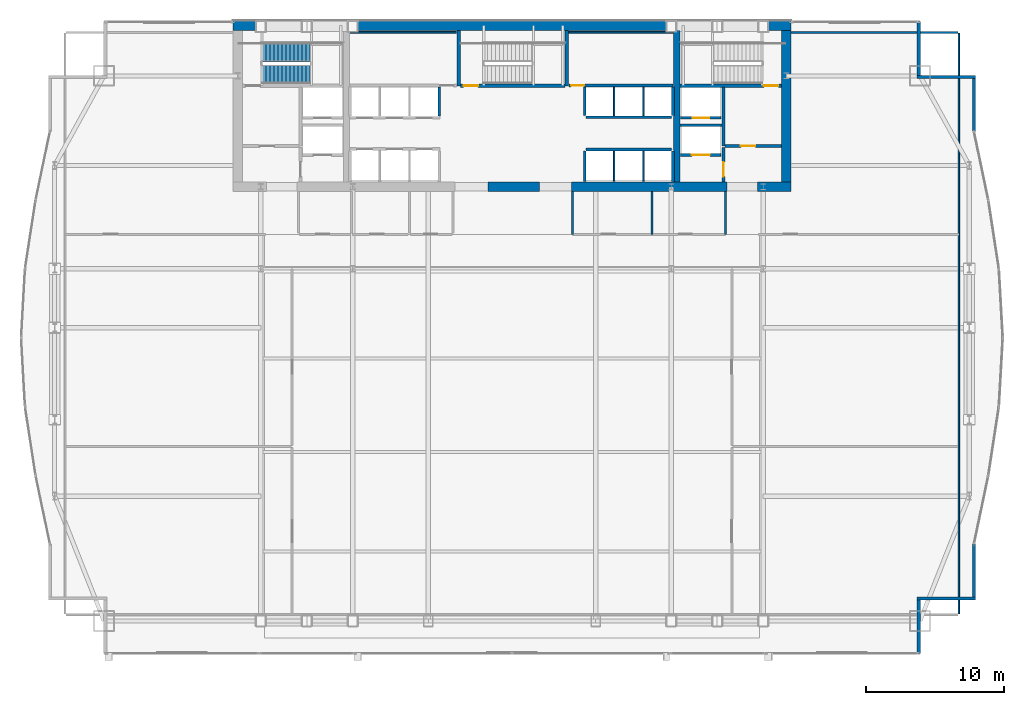
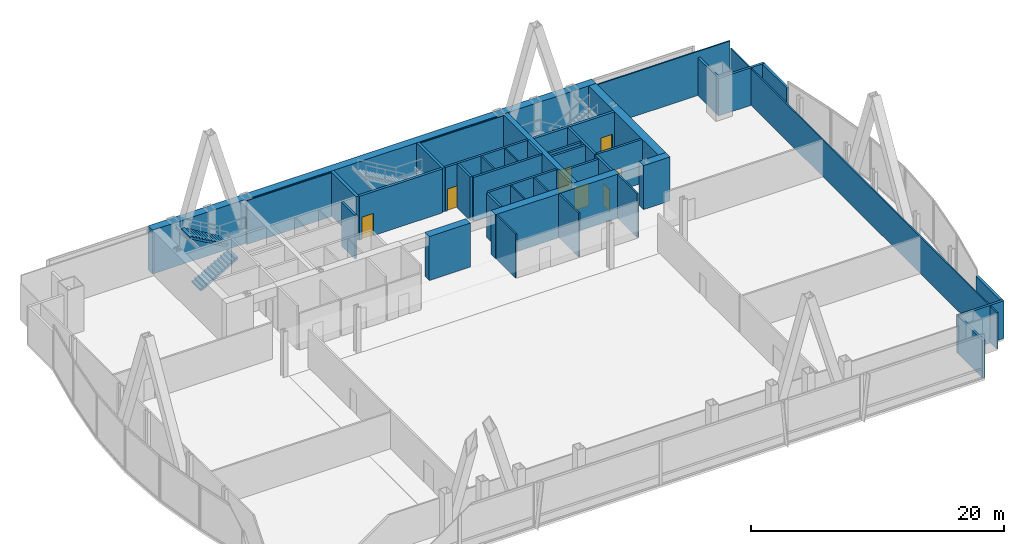
# One storey, part 29 of 32: 41 walls, 7 doors, 2 stair flights, 7 openings, 1 element without a shape of its own.
"""IFC4 building model written with IfcOpenShell, lengths in metres."""

import ifcopenshell
import ifcopenshell.guid

model = None  # the IFC model being written
_history = None  # IfcOwnerHistory: only IFC2X3 demands one
_inside = {}  # id of a spatial element -> (the spatial element, [elements in it])
_under = {}  # id of a project, library or spatial element -> (it, [spatial elements below it])
_declared = {}  # id of a project -> (the project, [libraries it declares])
_typed = {}  # id of a type object -> (the type object, [elements of that type])
_made_of = {}  # id of a material, layer set ... -> (it, [elements and type objects made of it])


def new_model(schema):
    """Start an empty IFC model of exactly this schema.

    Asked for "IFC4X3", IfcOpenShell would pick the latest addendum, in which some entities
    have other attributes; the version numbers below select the first issue.
    IFC2X3 requires an IfcOwnerHistory on every rooted entity: one is made here for all.
    """
    global model, _history
    if schema == "IFC4X3":
        model = ifcopenshell.file(schema_version=(4, 3, 0, 0))
    else:
        model = ifcopenshell.file(schema=schema)
    _inside.clear()
    _under.clear()
    _declared.clear()
    _typed.clear()
    _made_of.clear()
    _history = None
    if model.schema == "IFC2X3":
        org = make("IfcOrganization", Name="unknown")
        user = make(
            "IfcPersonAndOrganization",
            ThePerson=make("IfcPerson", FamilyName="unknown"),
            TheOrganization=org,
        )
        app = make(
            "IfcApplication",
            ApplicationDeveloper=org,
            Version="unknown",
            ApplicationFullName="unknown",
            ApplicationIdentifier="unknown",
        )
        _history = make(
            "IfcOwnerHistory",
            OwningUser=user,
            OwningApplication=app,
            ChangeAction="ADDED",
            CreationDate=0,
        )
    return model


def make(cls, **values):
    """One entity of the class cls with the attributes given. An attribute that is None is left unset."""
    return model.create_entity(
        cls, **{name: value for name, value in values.items() if value is not None}
    )


def rooted(cls, **values):
    """An entity with a GlobalId (a new one), such as an element, a storey or a relation."""
    return make(cls, GlobalId=ifcopenshell.guid.new(), OwnerHistory=_history, **values)


def si_unit(unit_type, name, prefix=None):
    """IfcSIUnit, for example si_unit("LENGTHUNIT", "METRE", prefix="MILLI")."""
    return make("IfcSIUnit", UnitType=unit_type, Prefix=prefix, Name=name)


def assignment(units):
    """IfcUnitAssignment: the units of a project."""
    return None if units is None else make("IfcUnitAssignment", Units=units)


def point(xyz):
    """IfcCartesianPoint."""
    return None if xyz is None else make("IfcCartesianPoint", Coordinates=xyz)


def direction(xyz):
    """IfcDirection."""
    return None if xyz is None else make("IfcDirection", DirectionRatios=xyz)


def frame(location, z_axis=None, x_axis=None):
    """IfcAxis2Placement3D, a coordinate frame: its origin and axes. An axis left out is left unset."""
    return make(
        "IfcAxis2Placement3D",
        Location=point(location),
        Axis=direction(z_axis),
        RefDirection=direction(x_axis),
    )


def frame_2d(location, x_axis=None):
    """IfcAxis2Placement2D, a coordinate frame in the plane: its origin and x axis."""
    return make(
        "IfcAxis2Placement2D", Location=point(location), RefDirection=direction(x_axis)
    )


def origin():
    """The frame at (0, 0, 0) with its axes left unset."""
    return frame((0.0, 0.0, 0.0))


def place(relative_to, where):
    """IfcLocalPlacement: puts the frame where relative to a parent placement (None: the world)."""
    return make(
        "IfcLocalPlacement", PlacementRelTo=relative_to, RelativePlacement=where
    )


def context(
    kind, dimensions, precision=None, world=None, true_north=None, identifier=None
):
    """IfcGeometricRepresentationContext, for example the 3D "Model" context."""
    return make(
        "IfcGeometricRepresentationContext",
        ContextIdentifier=identifier,
        ContextType=kind,
        CoordinateSpaceDimension=dimensions,
        Precision=precision,
        WorldCoordinateSystem=world,
        TrueNorth=true_north,
    )


def subcontext(parent, identifier, kind, view, scale=None):
    """IfcGeometricRepresentationSubContext, for example "Body" below "Model"."""
    return make(
        "IfcGeometricRepresentationSubContext",
        ContextIdentifier=identifier,
        ContextType=kind,
        ParentContext=parent,
        TargetScale=scale,
        TargetView=view,
    )


def project(units=None, contexts=None):
    """IfcProject with its units and contexts."""
    return rooted(
        "IfcProject",
        Name="project",
        RepresentationContexts=contexts,
        UnitsInContext=assignment(units),
    )


def spatial(cls, under=None, at=None, **own):
    """A site, building, storey or space (cls), placed at a placement, below another one or the project."""
    s = rooted(cls, ObjectPlacement=at, **own)
    if under is not None:
        _under.setdefault(under.id(), (under, []))[1].append(s)
    return s


def polyline(points):
    """IfcPolyline through the points."""
    return make("IfcPolyline", Points=[point(p) for p in points])


def profile(cls, at=None, kind="AREA", **sizes):
    """A parametric profile (cls). Its sizes go by their IFC names, for example OverallWidth=200.0."""
    return make(cls, ProfileType=kind, Position=at, **sizes)


def rectangle(**sizes):
    """IfcRectangleProfileDef."""
    return profile("IfcRectangleProfileDef", **sizes)


def outline(outer, holes=None, kind="AREA"):
    """IfcArbitraryClosedProfileDef: a profile drawn as a closed curve; with holes, ...WithVoids."""
    if holes is None:
        return make("IfcArbitraryClosedProfileDef", ProfileType=kind, OuterCurve=outer)
    return make(
        "IfcArbitraryProfileDefWithVoids",
        ProfileType=kind,
        OuterCurve=outer,
        InnerCurves=holes,
    )


def extrude(swept, where, along, depth):
    """IfcExtrudedAreaSolid: the profile swept, set in the frame where, extruded along a direction by depth."""
    return make(
        "IfcExtrudedAreaSolid",
        SweptArea=swept,
        Position=where,
        ExtrudedDirection=direction(along),
        Depth=depth,
    )


def shape(context_of_items, identifier, shape_type, items):
    """IfcShapeRepresentation: the items that make up one representation, for example the "Body"."""
    return make(
        "IfcShapeRepresentation",
        ContextOfItems=context_of_items,
        RepresentationIdentifier=identifier,
        RepresentationType=shape_type,
        Items=items,
    )


def material(Name=None, Category=None):
    """IfcMaterial."""
    return make("IfcMaterial", Name=Name, Category=Category)


def layer(
    of_material, thickness, ventilated=None, Name=None, Category=None, Priority=None
):
    """IfcMaterialLayer: one layer of a wall or slab, of a material (None: an air gap)."""
    return make(
        "IfcMaterialLayer",
        Material=of_material,
        LayerThickness=thickness,
        IsVentilated=ventilated,
        Name=Name,
        Category=Category,
        Priority=Priority,
    )


def layer_set(layers, Name=None):
    """IfcMaterialLayerSet."""
    return make("IfcMaterialLayerSet", MaterialLayers=layers, LayerSetName=Name)


def made_of(thing, what):
    """Note that an element or type object is made of a material, layer set ...; save() writes the relation."""
    if what is not None:
        _made_of.setdefault(what.id(), (what, []))[1].append(thing)
    return thing


def type_object(cls, material=None, **own):
    """A type object (cls), such as IfcWallType, which elements share."""
    return made_of(rooted(cls, **own), material)


def element(
    cls,
    number,
    at=None,
    inside=None,
    cuts=None,
    type_object=None,
    material=None,
    context=None,
    identifier="Body",
    shape_type=None,
    held_by="IfcProductDefinitionShape",
    body=None,
    shapes=None,
    **own,
):
    """One element of the class cls, such as IfcWall. Its Tag is "e" and its number.

    at: its placement. inside: the storey or other place that contains it. cuts: it is an
    opening in that element (IfcRelVoidsElement). A single representation is given by context,
    identifier, shape_type and body (its items); several are given by shapes. held_by: the class
    of the entity that holds the representations. save() writes the other relations.
    """
    e = rooted(cls, Tag="e%d" % number, ObjectPlacement=at, **own)
    if body is not None:
        shapes = [shape(context, identifier, shape_type, body)]
    if shapes is not None:
        e.Representation = make(held_by, Representations=shapes)
    if inside is not None:
        _inside.setdefault(inside.id(), (inside, []))[1].append(e)
    if cuts is not None:
        rooted(
            "IfcRelVoidsElement", RelatingBuildingElement=cuts, RelatedOpeningElement=e
        )
    if type_object is not None:
        _typed.setdefault(type_object.id(), (type_object, []))[1].append(e)
    return made_of(e, material)


def fill(opening, filler):
    """IfcRelFillsElement: the door or window that sits in an opening."""
    return rooted(
        "IfcRelFillsElement",
        RelatingOpeningElement=opening,
        RelatedBuildingElement=filler,
    )


def aggregate(whole, parts):
    """IfcRelAggregates: a whole, such as a stair, and the parts it consists of."""
    return rooted("IfcRelAggregates", RelatingObject=whole, RelatedObjects=parts)


def save(model, path):
    """Write the relations noted so far, then the file.

    IfcRelAggregates (storeys below a building ...), IfcRelContainedInSpatialStructure (elements
    in a storey), IfcRelDefinesByType, IfcRelAssociatesMaterial and IfcRelDeclares: one each for
    every whole, place, type object, material and project.
    """
    for whole, parts in _under.values():
        aggregate(whole, parts)
    for where, things in _inside.values():
        rooted(
            "IfcRelContainedInSpatialStructure",
            RelatedElements=things,
            RelatingStructure=where,
        )
    for kind, things in _typed.values():
        rooted("IfcRelDefinesByType", RelatedObjects=things, RelatingType=kind)
    for what, things in _made_of.values():
        rooted("IfcRelAssociatesMaterial", RelatedObjects=things, RelatingMaterial=what)
    for by, libraries in _declared.values():
        rooted("IfcRelDeclares", RelatingContext=by, RelatedDefinitions=libraries)
    model.write(path)


model = new_model("IFC4")

# Units and contexts
model_context = context("Model", 3, precision=1e-05, world=origin(), true_north=direction((0.0, 1.0)))
body_context = subcontext(model_context, "Body", "Model", "MODEL_VIEW")
ifc_project = project(units=[si_unit("LENGTHUNIT", "METRE"), si_unit("AREAUNIT", "SQUARE_METRE"), si_unit("VOLUMEUNIT", "CUBIC_METRE"), si_unit("PLANEANGLEUNIT", "RADIAN"), si_unit("MASSUNIT", "GRAM", prefix="KILO")], contexts=[model_context])

# Site, building, storey
site_placement = place(None, origin())
site = spatial("IfcSite", under=ifc_project, at=site_placement, CompositionType="ELEMENT")
building_placement = place(site_placement, origin())
building = spatial("IfcBuilding", under=site, at=building_placement, Name="Khoronbel Lancet Exchange", CompositionType="ELEMENT")
storey_placement = place(building_placement, frame((0.0, 0.0, 106.60009765625)))
storey = spatial("IfcBuildingStorey", under=building, at=storey_placement, Name="L25", CompositionType="ELEMENT", Elevation=106.60009765625)

# Walls
ifc_material_1 = material(Name="Concrete C80/95", Category="concrete")
ifc_layer_1 = layer(ifc_material_1, 0.699951171875, Name="Concrete C80/95")
ifc_layer_set_1 = layer_set([ifc_layer_1], Name="Concrete C80/95")
wall_type_1 = type_object("IfcWallType", Name="WL-CW2", PredefinedType="SHEAR", material=ifc_layer_set_1)
wall_1_placement = place(storey_placement, frame((16.199951171875, 53.35009765625, 0.0), z_axis=(0.0, 0.0, 1.0), x_axis=(1.0, 0.0, 0.0)))
element("IfcWall", 1, at=wall_1_placement, inside=storey, type_object=wall_type_1, Name="Level L25 rear core north shear wall", PredefinedType="SHEAR", context=body_context, shape_type="SweptSolid", body=[
    extrude(rectangle(XDim=40.5, YDim=0.699951171875, at=frame_2d((20.25, 0.0))), origin(), (0.0, 0.0, 1.0), 4.239990234375),
])
wall_2_placement = place(storey_placement, frame((56.35009765625, 53.0, 0.0), z_axis=(0.0, 0.0, 1.0), x_axis=(0.0, -1.0, 0.0)))
element("IfcWall", 2, at=wall_2_placement, inside=storey, type_object=wall_type_1, Name="Level L25 rear core east shear wall", PredefinedType="SHEAR", context=body_context, shape_type="SweptSolid", body=[
    extrude(rectangle(XDim=11.0, YDim=0.699951171875, at=frame_2d((5.5, 0.0))), origin(), (0.0, 0.0, 1.0), 4.239990234375),
])
wall_3_placement = place(storey_placement, frame((38.449951171875, 41.64990234375, 0.0), z_axis=(0.0, 0.0, 1.0), x_axis=(-1.0, 0.0, 0.0)))
element("IfcWall", 3, at=wall_3_placement, inside=storey, type_object=wall_type_1, Name="Level L25 rear core south shear wall pier P3", PredefinedType="SHEAR", context=body_context, shape_type="SweptSolid", body=[
    extrude(rectangle(XDim=3.75, YDim=0.699951171875, at=frame_2d((1.875, 0.0))), origin(), (0.0, 0.0, 1.0), 4.239990234375),
])
wall_4_placement = place(storey_placement, frame((52.050048828125, 41.64990234375, 0.0), z_axis=(0.0, 0.0, 1.0), x_axis=(-1.0, 0.0, 0.0)))
element("IfcWall", 4, at=wall_4_placement, inside=storey, type_object=wall_type_1, Name="Level L25 rear core south shear wall pier P4", PredefinedType="SHEAR", context=body_context, shape_type="SweptSolid", body=[
    extrude(rectangle(XDim=11.300048828125, YDim=0.699951171875, at=frame_2d((5.64990234375, 0.0))), origin(), (0.0, 0.0, 1.0), 4.239990234375),
])
wall_5_placement = place(storey_placement, frame((56.699951171875, 41.64990234375, 0.0), z_axis=(0.0, 0.0, 1.0), x_axis=(-1.0, 0.0, 0.0)))
element("IfcWall", 5, at=wall_5_placement, inside=storey, type_object=wall_type_1, Name="Level L25 rear core south shear wall pier P5", PredefinedType="SHEAR", context=body_context, shape_type="SweptSolid", body=[
    extrude(rectangle(XDim=2.449951171875, YDim=0.699951171875, at=frame_2d((1.22509765625, 0.0))), origin(), (0.0, 0.0, 1.0), 4.239990234375),
])
ifc_material_2 = material(Name="Precast concrete C40/50", Category="concrete")
ifc_layer_2 = layer(ifc_material_2, 0.25, Name="Precast concrete C40/50")
ifc_layer_set_2 = layer_set([ifc_layer_2], Name="Precast concrete C40/50")
wall_type_2 = type_object("IfcWallType", Name="WL-EXT250", PredefinedType="SOLIDWALL", material=ifc_layer_set_2)
wall_6_placement = place(storey_placement, frame((65.9599609375, 53.6298828125, 0.0), z_axis=(0.0, 0.0, 1.0), x_axis=(0.0, -1.0, 0.0)))
element("IfcWall", 6, at=wall_6_placement, inside=storey, type_object=wall_type_2, Name="Level L25 notched-corner limestone pier 14", PredefinedType="SOLIDWALL", context=body_context, shape_type="SweptSolid", body=[
    extrude(rectangle(XDim=3.909912109375, YDim=0.219970703125, at=frame_2d((1.955078125, 0.0))), origin(), (0.0, 0.0, 1.0), 3.6298828125),
])
wall_7_placement = place(storey_placement, frame((65.85009765625, 49.610107421875, 0.0), z_axis=(0.0, 0.0, 1.0), x_axis=(1.0, 0.0, 0.0)))
element("IfcWall", 7, at=wall_7_placement, inside=storey, type_object=wall_type_2, Name="Level L25 notched-corner limestone pier 15", PredefinedType="SOLIDWALL", context=body_context, shape_type="SweptSolid", body=[
    extrude(rectangle(XDim=4.219970703125, YDim=0.219970703125, at=frame_2d((2.10986328125, 0.0))), origin(), (0.0, 0.0, 1.0), 3.6298828125),
])
for number, where, z_axis, x_axis, name in (
    (8, (69.9599609375, 49.5, 0.0), (0.0, 0.0, 1.0), (0.0, -1.0, 0.0), "Level L25 notched-corner limestone pier 16"),
    (9, (69.9599609375, 15.729248046875, 0.0), (0.0, 0.0, 1.0), (0.0, -1.0, 0.0), "Level L25 notched-corner limestone pier 23"),
):
    element("IfcWall", number, at=place(storey_placement, frame(where, z_axis=z_axis, x_axis=x_axis)), inside=storey, type_object=wall_type_2, Name=name, PredefinedType="SOLIDWALL", context=body_context, shape_type="SweptSolid", body=[
        extrude(rectangle(XDim=3.829345703125, YDim=0.219970703125, at=frame_2d((1.91455078125, 0.0))), origin(), (0.0, 0.0, 1.0), 3.6298828125),
    ])
wall_8_placement = place(storey_placement, frame((70.070068359375, 11.7900390625, 0.0), z_axis=(0.0, 0.0, 1.0), x_axis=(-1.0, 0.0, 0.0)))
element("IfcWall", 10, at=wall_8_placement, inside=storey, type_object=wall_type_2, Name="Level L25 notched-corner limestone pier 24", PredefinedType="SOLIDWALL", context=body_context, shape_type="SweptSolid", body=[
    extrude(rectangle(XDim=4.219970703125, YDim=0.219970703125, at=frame_2d((2.10986328125, 0.0))), origin(), (0.0, 0.0, 1.0), 3.6298828125),
])
wall_9_placement = place(storey_placement, frame((65.9599609375, 11.679931640625, 0.0), z_axis=(0.0, 0.0, 1.0), x_axis=(0.0, -1.0, 0.0)))
element("IfcWall", 11, at=wall_9_placement, inside=storey, type_object=wall_type_2, Name="Level L25 notched-corner limestone pier 25", PredefinedType="SOLIDWALL", context=body_context, shape_type="SweptSolid", body=[
    extrude(rectangle(XDim=3.909912109375, YDim=0.219970703125, at=frame_2d((1.955078125, 0.0))), origin(), (0.0, 0.0, 1.0), 3.6298828125),
])
ifc_material_3 = material(Name="Acoustic Metal-Stud & Mineral-Wool Gypsum Partition 120 mm", Category="gypsum")
ifc_layer_3 = layer(ifc_material_3, 0.1201171875, Name="Acoustic Metal-Stud & Mineral-Wool Gypsum Partition 120 mm")
ifc_layer_set_3 = layer_set([ifc_layer_3], Name="Acoustic Metal-Stud & Mineral-Wool Gypsum Partition 120 mm")
wall_type_3 = type_object("IfcWallType", Name="WL-PRT120", PredefinedType="PARTITIONING", material=ifc_layer_set_3)
for number, where, z_axis, x_axis, name in (
    (12, (40.85009765625, 38.199951171875, 0.0), (0.0, 0.0, 1.0), (0.0, 1.0, 0.0), "Level L25 interior partition PW-SL-NP0"),
    (13, (46.60009765625, 38.199951171875, 0.0), (0.0, 0.0, 1.0), (0.0, 1.0, 0.0), "Level L25 interior partition PW-SL-NP"),
    (14, (51.949951171875, 38.199951171875, 0.0), (0.0, 0.0, 1.0), (0.0, 1.0, 0.0), "Level L25 interior partition PW-SL-NP1"),
):
    element("IfcWall", number, at=place(storey_placement, frame(where, z_axis=z_axis, x_axis=x_axis)), inside=storey, type_object=wall_type_3, Name=name, PredefinedType="PARTITIONING", context=body_context, shape_type="SweptSolid", body=[
        extrude(rectangle(XDim=3.10009765625, YDim=0.14990234375, at=frame_2d((1.550048828125, 0.0))), origin(), (0.0, 0.0, 1.0), 4.239990234375),
    ])
wall_10_placement = place(storey_placement, frame((68.8701171875, 10.6650390625, 0.0), z_axis=(0.0, 0.0, 1.0), x_axis=(0.0, 1.0, 0.0)))
element("IfcWall", 15, at=wall_10_placement, inside=storey, type_object=wall_type_3, Name="Level L25 interior partition PW-LIN-E", PredefinedType="PARTITIONING", context=body_context, shape_type="SweptSolid", body=[
    extrude(rectangle(XDim=42.10986328125, YDim=0.1201171875, at=frame_2d((21.054931640625, 0.0))), origin(), (0.0, 0.0, 1.0), 3.52978515625),
])
wall_11_placement = place(storey_placement, frame((56.699951171875, 52.840087890625, 0.0), z_axis=(0.0, 0.0, 1.0), x_axis=(1.0, 0.0, 0.0)))
element("IfcWall", 16, at=wall_11_placement, inside=storey, type_object=wall_type_3, Name="Level L25 interior partition PW-LIN-NE", PredefinedType="PARTITIONING", context=body_context, shape_type="SweptSolid", body=[
    extrude(rectangle(XDim=12.10498046875, YDim=0.1201171875, at=frame_2d((6.052490234375, 0.0))), origin(), (0.0, 0.0, 1.0), 4.239990234375),
])
ifc_material_4 = material(Name="Fire-Rated Metal-Stud & Mineral-Wool Gypsum Partition 120 mm", Category="gypsum")
ifc_layer_4 = layer(ifc_material_4, 0.1201171875, Name="Fire-Rated Metal-Stud & Mineral-Wool Gypsum Partition 120 mm")
ifc_layer_set_4 = layer_set([ifc_layer_4], Name="Fire-Rated Metal-Stud & Mineral-Wool Gypsum Partition 120 mm")
wall_type_4 = type_object("IfcWallType", Name="WL-PRT120F", PredefinedType="PARTITIONING", material=ifc_layer_set_4)
for number, where, z_axis, x_axis, name in (
    (17, (43.860107421875, 46.804931640625, 0.0), (0.0, 0.0, 1.0), (0.0, 1.0, 0.0), "Level L25 interior partition CW-PH-D1"),
    (18, (46.0, 46.804931640625, 0.0), (0.0, 0.0, 1.0), (0.0, 1.0, 0.0), "Level L25 interior partition CW-PH-D2"),
):
    element("IfcWall", number, at=place(storey_placement, frame(where, z_axis=z_axis, x_axis=x_axis)), inside=storey, type_object=wall_type_4, Name=name, PredefinedType="PARTITIONING", context=body_context, shape_type="SweptSolid", body=[
        extrude(rectangle(XDim=2.090087890625, YDim=0.1201171875, at=frame_2d((1.044921875, 0.0))), origin(), (0.0, 0.0, 1.0), 4.239990234375),
    ])
for number, where, z_axis, x_axis, name in (
    (19, (43.860107421875, 42.050048828125, 0.0), (0.0, 0.0, 1.0), (0.0, 1.0, 0.0), "Level L25 interior partition CW-PX-D1"),
    (20, (46.0, 42.050048828125, 0.0), (0.0, 0.0, 1.0), (0.0, 1.0, 0.0), "Level L25 interior partition CW-PX-D2"),
):
    element("IfcWall", number, at=place(storey_placement, frame(where, z_axis=z_axis, x_axis=x_axis)), inside=storey, type_object=wall_type_4, Name=name, PredefinedType="PARTITIONING", context=body_context, shape_type="SweptSolid", body=[
        extrude(rectangle(XDim=2.195068359375, YDim=0.1201171875, at=frame_2d((1.09765625, 0.0))), origin(), (0.0, 0.0, 1.0), 4.239990234375),
    ])
wall_12_placement = place(storey_placement, frame((24.699951171875, 52.860107421875, 0.0), z_axis=(0.0, 0.0, 1.0), x_axis=(1.0, 0.0, 0.0)))
element("IfcWall", 21, at=wall_12_placement, inside=storey, type_object=wall_type_4, Name="Level L25 interior partition CW-SUP-NW-N", PredefinedType="PARTITIONING", context=body_context, shape_type="SweptSolid", body=[
    extrude(rectangle(XDim=7.719970703125, YDim=0.1201171875, at=frame_2d((3.85986328125, 0.0))), origin(), (0.0, 0.0, 1.0), 4.239990234375),
])
wall_13_placement = place(storey_placement, frame((40.580078125, 52.860107421875, 0.0), z_axis=(0.0, 0.0, 1.0), x_axis=(1.0, 0.0, 0.0)))
element("IfcWall", 22, at=wall_13_placement, inside=storey, type_object=wall_type_4, Name="Level L25 interior partition CW-SUP-NE-N", PredefinedType="PARTITIONING", context=body_context, shape_type="SweptSolid", body=[
    extrude(rectangle(XDim=7.559814453125, YDim=0.1201171875, at=frame_2d((3.77978515625, 0.0))), origin(), (0.0, 0.0, 1.0), 4.239990234375),
])

# Wall, opening, door
ifc_material_5 = material(Name="Autoclaved Aerated Concrete Blockwork 200 mm", Category="masonry")
ifc_layer_5 = layer(ifc_material_5, 0.199951171875, Name="Autoclaved Aerated Concrete Blockwork 200 mm")
ifc_layer_set_5 = layer_set([ifc_layer_5], Name="Autoclaved Aerated Concrete Blockwork 200 mm")
wall_type_5 = type_object("IfcWallType", Name="WL-PRT200", PredefinedType="PARTITIONING", material=ifc_layer_set_5)
wall_14_placement = place(storey_placement, frame((51.610107421875, 43.949951171875, 0.0), z_axis=(0.0, 0.0, 1.0), x_axis=(-1.0, 0.0, 0.0)))
wall_14 = element("IfcWall", 23, at=wall_14_placement, inside=storey, type_object=wall_type_5, Name="Level L25 elevator hoistway landing front wall SVLE", PredefinedType="PARTITIONING", context=body_context, shape_type="SweptSolid", body=[
    extrude(rectangle(XDim=2.920166015625, YDim=0.199951171875, at=frame_2d((1.4599609375, 0.0))), origin(), (0.0, 0.0, 1.0), 4.239990234375),
])
opening_1_placement = place(wall_14_placement, frame((0.81005859375, 0.0, 0.0)))
opening_1 = element("IfcOpeningElement", 24, at=opening_1_placement, cuts=wall_14, Name="Opening LD-SVL2", PredefinedType="OPENING", context=body_context, shape_type="SweptSolid", body=[
    extrude(rectangle(XDim=1.300048828125, YDim=2.179931640625, at=frame_2d((0.64990234375, 1.08984375))), frame((0.0, 0.10986328125, 0.0), z_axis=(0.0, -1.0, 0.0), x_axis=(1.0, 0.0, 0.0)), (0.0, 0.0, 1.0), 0.219970703125),
])
ifc_material_6 = material(Name="Heavy-Duty Bi-Parting Goods Lift Landing Door", Category="steel")
door_type_1 = type_object("IfcDoorType", Name="DR-LD-SVL", OperationType="NOTDEFINED", PredefinedType="DOOR", material=ifc_material_6)
door_1_placement = place(opening_1_placement, origin())
door_1 = element("IfcDoor", 25, at=door_1_placement, inside=storey, type_object=door_type_1, Name="Elevator landing sliding door LD-SVL2 L25", OperationType="SLIDING_TO_LEFT", OverallHeight=2.179931640625, OverallWidth=1.300048828125, PredefinedType="DOOR", context=body_context, shape_type="SweptSolid", body=[
    extrude(rectangle(XDim=1.300048828125, YDim=2.179931640625, at=frame_2d((0.64990234375, 1.08984375))), frame((0.0, 0.02490234375, 0.0), z_axis=(0.0, -1.0, 0.0), x_axis=(1.0, 0.0, 0.0)), (0.0, 0.0, 1.0), 0.050048828125),
])
fill(opening_1, door_1)

wall_15_placement = place(storey_placement, frame((51.610107421875, 46.64990234375, 0.0), z_axis=(0.0, 0.0, 1.0), x_axis=(-1.0, 0.0, 0.0)))
wall_15 = element("IfcWall", 26, at=wall_15_placement, inside=storey, type_object=wall_type_5, Name="Level L25 elevator hoistway landing front wall FFLE", PredefinedType="PARTITIONING", context=body_context, shape_type="SweptSolid", body=[
    extrude(rectangle(XDim=2.920166015625, YDim=0.199951171875, at=frame_2d((1.4599609375, 0.0))), origin(), (0.0, 0.0, 1.0), 4.239990234375),
])
opening_2_placement = place(wall_15_placement, frame((0.860107421875, 0.0, 0.0)))
opening_2 = element("IfcOpeningElement", 27, at=opening_2_placement, cuts=wall_15, Name="Opening LD-FFL2", PredefinedType="OPENING", context=body_context, shape_type="SweptSolid", body=[
    extrude(rectangle(XDim=1.199951171875, YDim=2.179931640625, at=frame_2d((0.60009765625, 1.08984375))), frame((0.0, 0.10986328125, 0.0), z_axis=(0.0, -1.0, 0.0), x_axis=(1.0, 0.0, 0.0)), (0.0, 0.0, 1.0), 0.219970703125),
])
ifc_material_7 = material(Name="Fire-Rated Stainless Bi-Parting Firefighting Lift Door", Category="steel")
door_type_2 = type_object("IfcDoorType", Name="DR-LD-FFL", OperationType="NOTDEFINED", PredefinedType="DOOR", material=ifc_material_7)
door_2_placement = place(opening_2_placement, origin())
door_2 = element("IfcDoor", 28, at=door_2_placement, inside=storey, type_object=door_type_2, Name="Elevator landing sliding door LD-FFL2 L25", OperationType="SLIDING_TO_LEFT", OverallHeight=2.179931640625, OverallWidth=1.199951171875, PredefinedType="DOOR", context=body_context, shape_type="SweptSolid", body=[
    extrude(rectangle(XDim=1.199951171875, YDim=2.179931640625, at=frame_2d((0.60009765625, 1.08984375))), frame((0.0, 0.02490234375, 0.0), z_axis=(0.0, -1.0, 0.0), x_axis=(1.0, 0.0, 0.0)), (0.0, 0.0, 1.0), 0.050048828125),
])
fill(opening_2, door_2)

# Wall
wall_16_placement = place(storey_placement, frame((51.800048828125, 44.60009765625, 0.0), z_axis=(0.0, 0.0, 1.0), x_axis=(0.0, 1.0, 0.0)))
element("IfcWall", 29, at=wall_16_placement, inside=storey, type_object=wall_type_5, Name="Level L25 interior partition CW-FFLE-W", PredefinedType="PARTITIONING", context=body_context, shape_type="SweptSolid", body=[
    extrude(rectangle(XDim=4.2998046875, YDim=0.199951171875, at=frame_2d((2.14990234375, 0.0))), origin(), (0.0, 0.0, 1.0), 4.239990234375),
])

# Wall, opening, door
wall_17_placement = place(storey_placement, frame((51.89990234375, 44.60009765625, 0.0), z_axis=(0.0, 0.0, 1.0), x_axis=(1.0, 0.0, 0.0)))
wall_17 = element("IfcWall", 30, at=wall_17_placement, inside=storey, type_object=wall_type_5, Name="Level L25 interior partition CW-FFLE-S", PredefinedType="PARTITIONING", context=body_context, shape_type="SweptSolid", body=[
    extrude(rectangle(XDim=4.10009765625, YDim=0.199951171875, at=frame_2d((2.050048828125, 0.0))), origin(), (0.0, 0.0, 1.0), 4.239990234375),
])
opening_3_placement = place(wall_17_placement, frame((1.14990234375, 0.0, 0.0)))
opening_3 = element("IfcOpeningElement", 31, at=opening_3_placement, cuts=wall_17, Name="Opening FD1", PredefinedType="OPENING", context=body_context, shape_type="SweptSolid", body=[
    extrude(rectangle(XDim=1.050048828125, YDim=2.14990234375, at=frame_2d((0.52490234375, 1.074951171875))), frame((0.0, 0.10986328125, 0.0), z_axis=(0.0, -1.0, 0.0), x_axis=(1.0, 0.0, 0.0)), (0.0, 0.0, 1.0), 0.219970703125),
])
ifc_material_8 = material(Name="Fire-Rated Painted Steel Door Assembly", Category="steel")
door_type_3 = type_object("IfcDoorType", Name="DR-FD1", OperationType="NOTDEFINED", PredefinedType="DOOR", material=ifc_material_8)
door_3_placement = place(opening_3_placement, origin())
door_3 = element("IfcDoor", 32, at=door_3_placement, inside=storey, type_object=door_type_3, Name="East firefighting lobby FD90S door L25-1", OperationType="SINGLE_SWING_RIGHT", OverallHeight=2.14990234375, OverallWidth=1.050048828125, PredefinedType="DOOR", context=body_context, shape_type="SweptSolid", body=[
    extrude(rectangle(XDim=1.050048828125, YDim=2.14990234375, at=frame_2d((0.52490234375, 1.074951171875))), frame((0.0, 0.02490234375, 0.0), z_axis=(0.0, -1.0, 0.0), x_axis=(1.0, 0.0, 0.0)), (0.0, 0.0, 1.0), 0.050048828125),
])
fill(opening_3, door_3)

# Wall
wall_18_placement = place(storey_placement, frame((48.6298828125, 46.1201171875, 0.0), z_axis=(0.0, 0.0, 1.0), x_axis=(1.0, 0.0, 0.0)))
element("IfcWall", 33, at=wall_18_placement, inside=storey, type_object=wall_type_5, Name="Level L25 interior partition CW-FFL2-S", PredefinedType="PARTITIONING", context=body_context, shape_type="SweptSolid", body=[
    extrude(rectangle(XDim=3.070068359375, YDim=0.199951171875, at=frame_2d((1.53515625, 0.0))), origin(), (0.0, 0.0, 1.0), 4.239990234375),
])

# Wall, opening, door
wall_19_placement = place(storey_placement, frame((51.800048828125, 42.0, 0.0), z_axis=(0.0, 0.0, 1.0), x_axis=(0.0, 1.0, 0.0)))
wall_19 = element("IfcWall", 34, at=wall_19_placement, inside=storey, type_object=wall_type_5, Name="Level L25 interior partition CW-SVLE-E", PredefinedType="PARTITIONING", context=body_context, shape_type="SweptSolid", body=[
    extrude(rectangle(XDim=2.4951171875, YDim=0.199951171875, at=frame_2d((1.24755859375, 0.0))), origin(), (0.0, 0.0, 1.0), 4.239990234375),
])
opening_4_placement = place(wall_19_placement, frame((0.3798828125, 0.0, 0.0)))
opening_4 = element("IfcOpeningElement", 35, at=opening_4_placement, cuts=wall_19, Name="Opening FD1", PredefinedType="OPENING", context=body_context, shape_type="SweptSolid", body=[
    extrude(rectangle(XDim=1.050048828125, YDim=2.14990234375, at=frame_2d((0.52490234375, 1.074951171875))), frame((0.0, 0.10986328125, 0.0), z_axis=(0.0, -1.0, 0.0), x_axis=(1.0, 0.0, 0.0)), (0.0, 0.0, 1.0), 0.219970703125),
])
door_4_placement = place(opening_4_placement, origin())
door_4 = element("IfcDoor", 36, at=door_4_placement, inside=storey, type_object=door_type_3, Name="East service lift lobby door L25-1", OperationType="SINGLE_SWING_LEFT", OverallHeight=2.14990234375, OverallWidth=1.050048828125, PredefinedType="DOOR", context=body_context, shape_type="SweptSolid", body=[
    extrude(rectangle(XDim=1.050048828125, YDim=2.14990234375, at=frame_2d((0.52490234375, 1.074951171875))), frame((0.0, 0.02490234375, 0.0), z_axis=(0.0, -1.0, 0.0), x_axis=(1.0, 0.0, 0.0)), (0.0, 0.0, 1.0), 0.050048828125),
])
fill(opening_4, door_4)

# Walls
wall_20_placement = place(storey_placement, frame((31.179931640625, 46.800048828125, 0.0), z_axis=(0.0, 0.0, 1.0), x_axis=(0.0, 1.0, 0.0)))
element("IfcWall", 37, at=wall_20_placement, inside=storey, type_object=wall_type_5, Name="Level L25 interior partition CW-PL-E", PredefinedType="PARTITIONING", context=body_context, shape_type="SweptSolid", body=[
    extrude(rectangle(XDim=2.094970703125, YDim=0.199951171875, at=frame_2d((1.04736328125, 0.0))), origin(), (0.0, 0.0, 1.0), 4.239990234375),
])
wall_21_placement = place(storey_placement, frame((41.824951171875, 46.699951171875, 0.0), z_axis=(0.0, 0.0, 1.0), x_axis=(1.0, 0.0, 0.0)))
element("IfcWall", 38, at=wall_21_placement, inside=storey, type_object=wall_type_5, Name="Level L25 interior partition CW-PH-EXP", PredefinedType="PARTITIONING", context=body_context, shape_type="SweptSolid", body=[
    extrude(rectangle(XDim=6.2099609375, YDim=0.199951171875, at=frame_2d((3.10498046875, 0.0))), origin(), (0.0, 0.0, 1.0), 4.239990234375),
])
for number, where, z_axis, x_axis, name in (
    (39, (41.719970703125, 46.804931640625, 0.0), (0.0, 0.0, 1.0), (0.0, 1.0, 0.0), "Level L25 interior partition CW-PH-W"),
    (40, (48.139892578125, 46.804931640625, 0.0), (0.0, 0.0, 1.0), (0.0, 1.0, 0.0), "Level L25 interior partition CW-PH-E"),
):
    element("IfcWall", number, at=place(storey_placement, frame(where, z_axis=z_axis, x_axis=x_axis)), inside=storey, type_object=wall_type_5, Name=name, PredefinedType="PARTITIONING", context=body_context, shape_type="SweptSolid", body=[
        extrude(rectangle(XDim=2.090087890625, YDim=0.199951171875, at=frame_2d((1.044921875, 0.0))), origin(), (0.0, 0.0, 1.0), 4.239990234375),
    ])
wall_22_placement = place(storey_placement, frame((41.824951171875, 44.35009765625, 0.0), z_axis=(0.0, 0.0, 1.0), x_axis=(1.0, 0.0, 0.0)))
element("IfcWall", 41, at=wall_22_placement, inside=storey, type_object=wall_type_5, Name="Level L25 interior partition CW-PX-EXP", PredefinedType="PARTITIONING", context=body_context, shape_type="SweptSolid", body=[
    extrude(rectangle(XDim=6.2099609375, YDim=0.199951171875, at=frame_2d((3.10498046875, 0.0))), origin(), (0.0, 0.0, 1.0), 4.239990234375),
])
for number, where, z_axis, x_axis, name in (
    (42, (41.719970703125, 42.050048828125, 0.0), (0.0, 0.0, 1.0), (0.0, 1.0, 0.0), "Level L25 interior partition CW-PX-W"),
    (43, (48.139892578125, 42.050048828125, 0.0), (0.0, 0.0, 1.0), (0.0, 1.0, 0.0), "Level L25 interior partition CW-PX-E"),
):
    element("IfcWall", number, at=place(storey_placement, frame(where, z_axis=z_axis, x_axis=x_axis)), inside=storey, type_object=wall_type_5, Name=name, PredefinedType="PARTITIONING", context=body_context, shape_type="SweptSolid", body=[
        extrude(rectangle(XDim=2.195068359375, YDim=0.199951171875, at=frame_2d((1.09765625, 0.0))), origin(), (0.0, 0.0, 1.0), 4.239990234375),
    ])

# Wall, opening, door
wall_23_placement = place(storey_placement, frame((40.580078125, 49.0, 0.0), z_axis=(0.0, 0.0, 1.0), x_axis=(1.0, 0.0, 0.0)))
wall_23 = element("IfcWall", 44, at=wall_23_placement, inside=storey, type_object=wall_type_5, Name="Level L25 interior partition CW-SUP-NE-S", PredefinedType="PARTITIONING", context=body_context, shape_type="SweptSolid", body=[
    extrude(rectangle(XDim=7.559814453125, YDim=0.199951171875, at=frame_2d((3.77978515625, 0.0))), origin(), (0.0, 0.0, 1.0), 4.239990234375),
])
opening_5_placement = place(wall_23_placement, frame((0.159912109375, 0.0, 0.0)))
opening_5 = element("IfcOpeningElement", 45, at=opening_5_placement, cuts=wall_23, Name="Opening FD3", PredefinedType="OPENING", context=body_context, shape_type="SweptSolid", body=[
    extrude(rectangle(XDim=0.949951171875, YDim=2.10009765625, at=frame_2d((0.47509765625, 1.050048828125))), frame((0.0, 0.10986328125, 0.0), z_axis=(0.0, -1.0, 0.0), x_axis=(1.0, 0.0, 0.0)), (0.0, 0.0, 1.0), 0.219970703125),
])
ifc_material_9 = material(Name="Fire-Rated Steel Plant & Riser Door Assembly", Category="steel")
door_type_4 = type_object("IfcDoorType", Name="DR-FD3", OperationType="NOTDEFINED", PredefinedType="DOOR", material=ifc_material_9)
door_5_placement = place(opening_5_placement, origin())
door_5 = element("IfcDoor", 46, at=door_5_placement, inside=storey, type_object=door_type_4, Name="Core NE support room door L25-1", OperationType="SINGLE_SWING_LEFT", OverallHeight=2.10009765625, OverallWidth=0.949951171875, PredefinedType="DOOR", context=body_context, shape_type="SweptSolid", body=[
    extrude(rectangle(XDim=0.949951171875, YDim=2.10009765625, at=frame_2d((0.47509765625, 1.050048828125))), frame((0.0, 0.02490234375, 0.0), z_axis=(0.0, -1.0, 0.0), x_axis=(1.0, 0.0, 0.0)), (0.0, 0.0, 1.0), 0.050048828125),
])
fill(opening_5, door_5)

# Walls
ifc_layer_6 = layer(ifc_material_1, 0.449951171875, Name="Concrete C80/95")
ifc_layer_set_6 = layer_set([ifc_layer_6], Name="Concrete C80/95")
wall_type_6 = type_object("IfcWallType", Name="WL-SW1", PredefinedType="SHEAR", material=ifc_layer_set_6)
wall_24_placement = place(storey_placement, frame((48.39990234375, 42.0, 0.0), z_axis=(0.0, 0.0, 1.0), x_axis=(0.0, 1.0, 0.0)))
element("IfcWall", 47, at=wall_24_placement, inside=storey, type_object=wall_type_6, Name="Level L25 rear core internal spine shear wall IE", PredefinedType="SHEAR", context=body_context, shape_type="SweptSolid", body=[
    extrude(rectangle(XDim=11.0, YDim=0.449951171875, at=frame_2d((5.5, 0.0))), origin(), (0.0, 0.0, 1.0), 4.239990234375),
])
ifc_material_10 = material(Name="Concrete C60/75", Category="concrete")
ifc_layer_7 = layer(ifc_material_10, 0.260009765625, Name="Concrete C60/75")
ifc_layer_set_7 = layer_set([ifc_layer_7], Name="Concrete C60/75")
wall_type_7 = type_object("IfcWallType", Name="WL-SW3", PredefinedType="SHEAR", material=ifc_layer_set_7)
for number, where, z_axis, x_axis, name in (
    (48, (32.580078125, 48.949951171875, 0.0), (0.0, 0.0, 1.0), (0.0, 1.0, 0.0), "Level L25 central stairwell structural shear wall ST3W"),
    (49, (40.419921875, 48.949951171875, 0.0), (0.0, 0.0, 1.0), (0.0, 1.0, 0.0), "Level L25 central stairwell structural shear wall ST3E"),
):
    element("IfcWall", number, at=place(storey_placement, frame(where, z_axis=z_axis, x_axis=x_axis)), inside=storey, type_object=wall_type_7, Name=name, PredefinedType="SHEAR", context=body_context, shape_type="SweptSolid", body=[
        extrude(rectangle(XDim=4.050048828125, YDim=0.260009765625, at=frame_2d((2.02490234375, 0.0))), origin(), (0.0, 0.0, 1.0), 4.239990234375),
    ])

# Wall, opening, door
wall_25_placement = place(storey_placement, frame((48.6298828125, 48.97998046875, 0.0), z_axis=(0.0, 0.0, 1.0), x_axis=(1.0, 0.0, 0.0)))
wall_25 = element("IfcWall", 50, at=wall_25_placement, inside=storey, type_object=wall_type_7, Name="Level L25 east stairwell structural south wall", PredefinedType="SHEAR", context=body_context, shape_type="SweptSolid", body=[
    extrude(rectangle(XDim=7.3701171875, YDim=0.239990234375, at=frame_2d((3.68505859375, 0.0))), origin(), (0.0, 0.0, 1.0), 4.239990234375),
])
opening_6_placement = place(wall_25_placement, frame((6.10009765625, 0.0, 0.0)))
opening_6 = element("IfcOpeningElement", 51, at=opening_6_placement, cuts=wall_25, Name="Opening SD1", PredefinedType="OPENING", context=body_context, shape_type="SweptSolid", body=[
    extrude(rectangle(XDim=1.050048828125, YDim=2.14990234375, at=frame_2d((0.52490234375, 1.074951171875))), frame((0.0, 0.1298828125, 0.0), z_axis=(0.0, -1.0, 0.0), x_axis=(1.0, 0.0, 0.0)), (0.0, 0.0, 1.0), 0.260009765625),
])
ifc_material_11 = material(Name="Fire-Rated Steel Stairwell Door Assembly", Category="steel")
door_type_5 = type_object("IfcDoorType", Name="DR-SD1", OperationType="NOTDEFINED", PredefinedType="DOOR", material=ifc_material_11)
door_6_placement = place(opening_6_placement, origin())
door_6 = element("IfcDoor", 52, at=door_6_placement, inside=storey, type_object=door_type_5, Name="Protected exit stair ST2 door L25", OperationType="SINGLE_SWING_RIGHT", OverallHeight=2.14990234375, OverallWidth=1.050048828125, PredefinedType="DOOR", context=body_context, shape_type="SweptSolid", body=[
    extrude(rectangle(XDim=1.050048828125, YDim=2.14990234375, at=frame_2d((0.52490234375, 1.074951171875))), frame((0.0, 0.02490234375, 0.0), z_axis=(0.0, -1.0, 0.0), x_axis=(1.0, 0.0, 0.0)), (0.0, 0.0, 1.0), 0.050048828125),
])
fill(opening_6, door_6)

wall_26_placement = place(storey_placement, frame((32.719970703125, 48.97998046875, 0.0), z_axis=(0.0, 0.0, 1.0), x_axis=(1.0, 0.0, 0.0)))
wall_26 = element("IfcWall", 53, at=wall_26_placement, inside=storey, type_object=wall_type_7, Name="Level L25 central stairwell structural south wall", PredefinedType="SHEAR", context=body_context, shape_type="SweptSolid", body=[
    extrude(rectangle(XDim=7.56005859375, YDim=0.239990234375, at=frame_2d((3.780029296875, 0.0))), origin(), (0.0, 0.0, 1.0), 4.239990234375),
])
opening_7_placement = place(wall_26_placement, frame((0.219970703125, 0.0, 0.0)))
opening_7 = element("IfcOpeningElement", 54, at=opening_7_placement, cuts=wall_26, Name="Opening SD1", PredefinedType="OPENING", context=body_context, shape_type="SweptSolid", body=[
    extrude(rectangle(XDim=1.050048828125, YDim=2.14990234375, at=frame_2d((0.52490234375, 1.074951171875))), frame((0.0, 0.1298828125, 0.0), z_axis=(0.0, -1.0, 0.0), x_axis=(1.0, 0.0, 0.0)), (0.0, 0.0, 1.0), 0.260009765625),
])
door_7_placement = place(opening_7_placement, origin())
door_7 = element("IfcDoor", 55, at=door_7_placement, inside=storey, type_object=door_type_5, Name="Protected exit stair ST3 door L25", OperationType="SINGLE_SWING_LEFT", OverallHeight=2.14990234375, OverallWidth=1.050048828125, PredefinedType="DOOR", context=body_context, shape_type="SweptSolid", body=[
    extrude(rectangle(XDim=1.050048828125, YDim=2.14990234375, at=frame_2d((0.52490234375, 1.074951171875))), frame((0.0, 0.02490234375, 0.0), z_axis=(0.0, -1.0, 0.0), x_axis=(1.0, 0.0, 0.0)), (0.0, 0.0, 1.0), 0.050048828125),
])
fill(opening_7, door_7)

# Stair, stair flights
ifc_material_12 = material(Name="Concrete C40/50", Category="concrete")
stair_type = type_object("IfcStairType", Name="STR-CORE150", PredefinedType="HALF_TURN_STAIR", material=ifc_material_12)
stair_placement = place(storey_placement, origin())
stair = element("IfcStair", 56, at=stair_placement, inside=storey, type_object=stair_type, Name="L25 Protected Exit Stair ST1", PredefinedType="HALF_TURN_STAIR")
stair_flight_type = type_object("IfcStairFlightType", Name="STF-150", PredefinedType="STRAIGHT", material=ifc_material_12)
stair_flight_1_placement = place(storey_placement, frame((18.300048828125, 49.81005859375, 0.0), z_axis=(0.0, 0.0, 1.0), x_axis=(1.0, 0.0, 0.0)))
stair_flight_1 = element("IfcStairFlight", 57, at=stair_flight_1_placement, type_object=stair_flight_type, Name="ST1 flight 1", NumberOfRisers=13, NumberOfTreads=12, PredefinedType="STRAIGHT", RiserHeight=0.169230769, TreadLength=0.29, context=body_context, shape_type="SweptSolid", body=[
    extrude(outline(polyline([(0.0, 0.0), (0.0, 0.169189453125), (0.2900390625, 0.169189453125), (0.2900390625, 0.33837890625), (0.580078125, 0.33837890625), (0.580078125, 0.5078125), (0.8701171875, 0.5078125), (0.8701171875, 0.677001953125), (1.159912109375, 0.677001953125), (1.159912109375, 0.84619140625), (1.449951171875, 0.84619140625), (1.449951171875, 1.015380859375), (1.739990234375, 1.015380859375), (1.739990234375, 1.1845703125), (2.030029296875, 1.1845703125), (2.030029296875, 1.353759765625), (2.320068359375, 1.353759765625), (2.320068359375, 1.523193359375), (2.610107421875, 1.523193359375), (2.610107421875, 1.6923828125), (2.89990234375, 1.6923828125), (2.89990234375, 1.861572265625), (3.18994140625, 1.861572265625), (3.18994140625, 2.03076171875), (3.47998046875, 2.03076171875), (3.47998046875, 2.199951171875), (3.47998046875, 1.857177734375), (0.29736328125, 0.0), (0.0, 0.0)])), frame((0.0, 0.68994140625, 0.0), z_axis=(0.0, -1.0, 0.0), x_axis=(1.0, 0.0, 0.0)), (0.0, 0.0, 1.0), 1.3798828125),
])
stair_flight_2_placement = place(storey_placement, frame((21.780029296875, 51.409912109375, 2.199951171875), z_axis=(0.0, 0.0, 1.0), x_axis=(-1.0, 0.0, 0.0)))
stair_flight_2 = element("IfcStairFlight", 58, at=stair_flight_2_placement, type_object=stair_flight_type, Name="ST1 flight 2", NumberOfRisers=13, NumberOfTreads=12, PredefinedType="STRAIGHT", RiserHeight=0.169230769, TreadLength=0.29, context=body_context, shape_type="SweptSolid", body=[
    extrude(outline(polyline([(0.0, 0.0), (0.0, 0.169189453125), (0.2900390625, 0.169189453125), (0.2900390625, 0.33837890625), (0.580078125, 0.33837890625), (0.580078125, 0.5078125), (0.8701171875, 0.5078125), (0.8701171875, 0.677001953125), (1.159912109375, 0.677001953125), (1.159912109375, 0.84619140625), (1.449951171875, 0.84619140625), (1.449951171875, 1.015380859375), (1.739990234375, 1.015380859375), (1.739990234375, 1.1845703125), (2.030029296875, 1.1845703125), (2.030029296875, 1.353759765625), (2.320068359375, 1.353759765625), (2.320068359375, 1.523193359375), (2.610107421875, 1.523193359375), (2.610107421875, 1.6923828125), (2.89990234375, 1.6923828125), (2.89990234375, 1.861572265625), (3.18994140625, 1.861572265625), (3.18994140625, 2.03076171875), (3.47998046875, 2.03076171875), (3.47998046875, 2.199951171875), (3.47998046875, 1.857177734375), (0.29736328125, 0.0), (0.0, 0.0)])), frame((0.0, 0.68994140625, 0.0), z_axis=(0.0, -1.0, 0.0), x_axis=(1.0, 0.0, 0.0)), (0.0, 0.0, 1.0), 1.3798828125),
])
aggregate(stair, [stair_flight_1, stair_flight_2])

save(model, "model.ifc")
